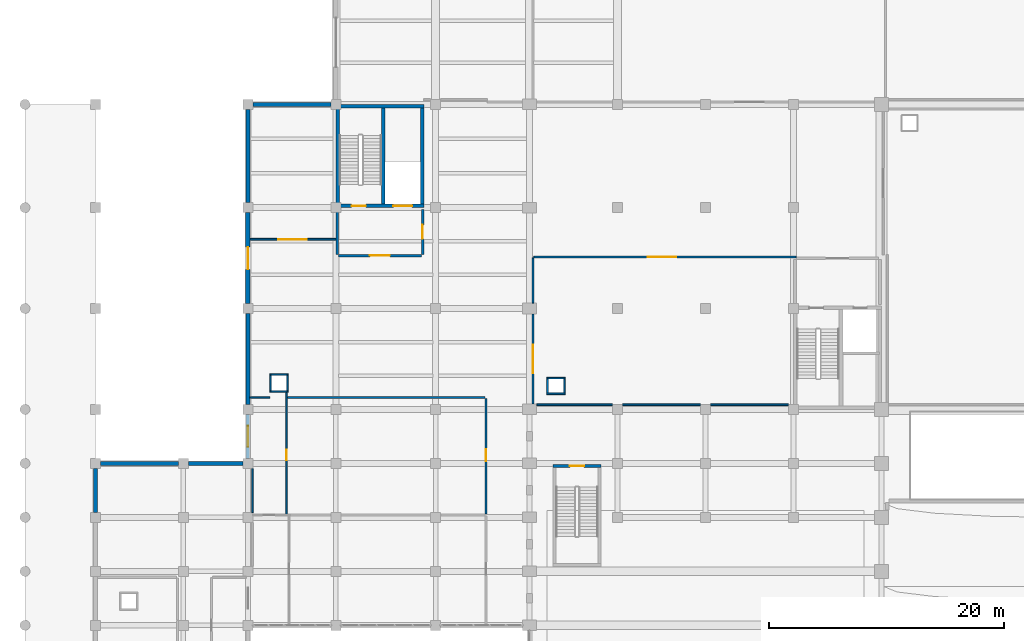
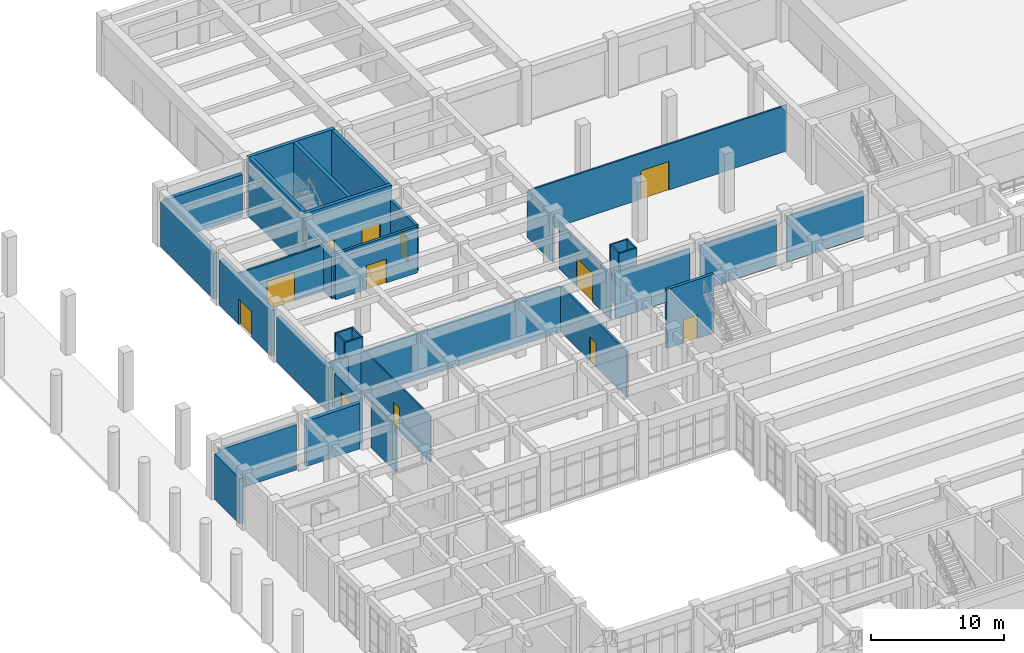
# One storey, part 65 of 84: 37 walls, 11 doors, 1 window, 12 openings.
"""IFC4 building model written with IfcOpenShell, lengths in metres."""

from ifc_helpers import new_model, si_unit, direction, frame, frame_2d, origin, place, context, subcontext, project, spatial, rectangle, extrude, material, layer, layer_set, type_object, element, fill, save


model = new_model("IFC4")

# Units and contexts
model_context = context("Model", 3, precision=1e-05, world=origin(), true_north=direction((0.0, 1.0)))
body_context = subcontext(model_context, "Body", "Model", "MODEL_VIEW")
ifc_project = project(units=[si_unit("LENGTHUNIT", "METRE"), si_unit("AREAUNIT", "SQUARE_METRE"), si_unit("VOLUMEUNIT", "CUBIC_METRE"), si_unit("PLANEANGLEUNIT", "RADIAN"), si_unit("MASSUNIT", "GRAM", prefix="KILO")], contexts=[model_context])

# Site, building, storey
site_placement = place(None, origin())
site = spatial("IfcSite", under=ifc_project, at=site_placement, CompositionType="ELEMENT")
building_placement = place(site_placement, origin())
building = spatial("IfcBuilding", under=site, at=building_placement, Name="Muzn Square Opera House", CompositionType="ELEMENT")
storey_placement = place(building_placement, origin())
storey = spatial("IfcBuildingStorey", under=building, at=storey_placement, Name="L00", CompositionType="ELEMENT", Elevation=0.0)

# Wall, opening, door
ifc_material_1 = material(Name="Concrete C45/55", Category="concrete")
ifc_layer_1 = layer(ifc_material_1, 0.25, Name="Concrete C45/55", Category="concrete")
ifc_layer_set_1 = layer_set([ifc_layer_1], Name="Concrete C45/55")
wall_type_1 = type_object("IfcWallType", Name="Aux Stair Enclosure Wall 250mm", PredefinedType="SHEAR", material=ifc_layer_set_1)
wall_1_placement = place(storey_placement, frame((45.0, 67.77490234375, 0.0), z_axis=(0.0, 0.0, 1.0), x_axis=(1.0, 0.0, 0.0)))
wall_1 = element("IfcWall", 1, at=wall_1_placement, inside=storey, type_object=wall_type_1, Name="Escape Stair ST-9 Wall N L00", PredefinedType="SHEAR", context=body_context, shape_type="SweptSolid", body=[
    extrude(rectangle(XDim=4.10009765625, YDim=0.25, at=frame_2d((2.050048828125, 0.0))), origin(), (0.0, 0.0, 1.0), 5.39990234375),
])
opening_1_placement = place(wall_1_placement, frame((1.449951171875, 0.0, 0.0)))
opening_1 = element("IfcOpeningElement", 2, at=opening_1_placement, cuts=wall_1, Name="Opening DR-ST12", PredefinedType="OPENING", context=body_context, shape_type="SweptSolid", body=[
    extrude(rectangle(XDim=1.199951171875, YDim=2.14990234375, at=frame_2d((0.60009765625, 1.074951171875))), frame((0.0, 0.135009765625, 0.0), z_axis=(0.0, -1.0, 0.0), x_axis=(1.0, 0.0, 0.0)), (0.0, 0.0, 1.0), 0.27001953125),
])
ifc_material_2 = material(Name="Galvanised painted steel leaf", Category="metal")
door_type_1 = type_object("IfcDoorType", Name="Core Stair Fire Door 1200x2150", OperationType="NOTDEFINED", PredefinedType="DOOR", material=ifc_material_2)
door_1_placement = place(opening_1_placement, origin())
door_1 = element("IfcDoor", 3, at=door_1_placement, inside=storey, type_object=door_type_1, Name="Escape Stair ST-9 Door L00", OperationType="SINGLE_SWING_RIGHT", OverallHeight=2.14990234375, OverallWidth=1.199951171875, PredefinedType="DOOR", context=body_context, shape_type="SweptSolid", body=[
    extrude(rectangle(XDim=1.199951171875, YDim=2.14990234375, at=frame_2d((0.60009765625, 1.074951171875))), frame((0.0, 0.02490234375, 0.0), z_axis=(0.0, -1.0, 0.0), x_axis=(1.0, 0.0, 0.0)), (0.0, 0.0, 1.0), 0.050048828125),
])
fill(opening_1, door_1)

# Walls
ifc_layer_2 = layer(ifc_material_1, 0.300048828125, Name="Concrete C45/55", Category="concrete")
ifc_layer_set_2 = layer_set([ifc_layer_2], Name="Concrete C45/55")
wall_type_2 = type_object("IfcWallType", Name="Core Shear Wall 300mm", PredefinedType="SHEAR", material=ifc_layer_set_2)
wall_2_placement = place(storey_placement, frame((26.5, 98.449951171875, 0.0), z_axis=(0.0, 0.0, 1.0), x_axis=(1.0, 0.0, 0.0)))
element("IfcWall", 4, at=wall_2_placement, inside=storey, type_object=wall_type_2, Name="Core C6 Shear Wall SW-C6-L00-N", PredefinedType="SHEAR", context=body_context, shape_type="SweptSolid", body=[
    extrude(rectangle(XDim=7.5, YDim=0.300048828125, at=frame_2d((3.75, 0.0))), origin(), (0.0, 0.0, 1.0), 5.39990234375),
])
for number, where, z_axis, x_axis, name in (
    (5, (26.64990234375, 90.10009765625, 0.0), (0.0, 0.0, 1.0), (0.0, 1.0, 0.0), "Core C6 Shear Wall SW-C6-L00-W"),
    (6, (33.85009765625, 90.10009765625, 0.0), (0.0, 0.0, 1.0), (0.0, 1.0, 0.0), "Core C6 Shear Wall SW-C6-L00-E"),
    (7, (30.550048828125, 90.10009765625, 0.0), (0.0, 0.0, 1.0), (0.0, 1.0, 0.0), "Core C6 Shear Wall SW-C6-L00-DIV"),
):
    element("IfcWall", number, at=place(storey_placement, frame(where, z_axis=z_axis, x_axis=x_axis)), inside=storey, type_object=wall_type_2, Name=name, PredefinedType="SHEAR", context=body_context, shape_type="SweptSolid", body=[
        extrude(rectangle(XDim=8.199951171875, YDim=0.300048828125, at=frame_2d((4.10009765625, 0.0))), origin(), (0.0, 0.0, 1.0), 5.39990234375),
    ])

# Wall, openings, doors
wall_3_placement = place(storey_placement, frame((26.5, 89.949951171875, 0.0), z_axis=(0.0, 0.0, 1.0), x_axis=(1.0, 0.0, 0.0)))
wall_3 = element("IfcWall", 8, at=wall_3_placement, inside=storey, type_object=wall_type_2, Name="Core C6 Front Shear Wall L00", PredefinedType="SHEAR", context=body_context, shape_type="SweptSolid", body=[
    extrude(rectangle(XDim=7.5, YDim=0.300048828125, at=frame_2d((3.75, 0.0))), origin(), (0.0, 0.0, 1.0), 5.39990234375),
])
opening_2_placement = place(wall_3_placement, frame((2.550048828125, 0.0, 0.0), z_axis=(0.0, 0.0, 1.0), x_axis=(-1.0, 0.0, 0.0)))
opening_2 = element("IfcOpeningElement", 9, at=opening_2_placement, cuts=wall_3, Name="Opening DR-ST12", PredefinedType="OPENING", context=body_context, shape_type="SweptSolid", body=[
    extrude(rectangle(XDim=1.199951171875, YDim=2.14990234375, at=frame_2d((0.60009765625, 1.074951171875))), frame((0.0, 0.159912109375, 0.0), z_axis=(0.0, -1.0, 0.0), x_axis=(1.0, 0.0, 0.0)), (0.0, 0.0, 1.0), 0.320068359375),
])
opening_3_placement = place(wall_3_placement, frame((4.89990234375, 0.0, 0.0)))
opening_3 = element("IfcOpeningElement", 10, at=opening_3_placement, cuts=wall_3, Name="Opening LD-02", PredefinedType="OPENING", context=body_context, shape_type="SweptSolid", body=[
    extrude(rectangle(XDim=1.60009765625, YDim=2.25, at=frame_2d((0.800048828125, 1.125))), frame((0.0, 0.159912109375, 0.0), z_axis=(0.0, -1.0, 0.0), x_axis=(1.0, 0.0, 0.0)), (0.0, 0.0, 1.0), 0.320068359375),
])
door_2_placement = place(opening_2_placement, origin())
door_2 = element("IfcDoor", 11, at=door_2_placement, inside=storey, type_object=door_type_1, Name="Core C6 Stair Door L00", OperationType="SINGLE_SWING_RIGHT", OverallHeight=2.14990234375, OverallWidth=1.199951171875, PredefinedType="DOOR", context=body_context, shape_type="SweptSolid", body=[
    extrude(rectangle(XDim=1.199951171875, YDim=2.14990234375, at=frame_2d((0.60009765625, 1.074951171875))), frame((0.0, 0.02490234375, 0.0), z_axis=(0.0, -1.0, 0.0), x_axis=(1.0, 0.0, 0.0)), (0.0, 0.0, 1.0), 0.050048828125),
])
fill(opening_2, door_2)
ifc_material_3 = material(Name="Brushed stainless steel", Category="metal")
door_type_2 = type_object("IfcDoorType", Name="Goods Lift Sliding Door 1600x2250", OperationType="SLIDING_TO_LEFT", PredefinedType="DOOR", material=ifc_material_3)
door_3_placement = place(opening_3_placement, origin())
door_3 = element("IfcDoor", 12, at=door_3_placement, inside=storey, type_object=door_type_2, Name="Lift GL-1 Sliding Landing Door L00", OperationType="SLIDING_TO_LEFT", OverallHeight=2.25, OverallWidth=1.60009765625, PredefinedType="DOOR", context=body_context, shape_type="SweptSolid", body=[
    extrude(rectangle(XDim=1.60009765625, YDim=2.25, at=frame_2d((0.800048828125, 1.125))), frame((0.0, 0.02490234375, 0.0), z_axis=(0.0, -1.0, 0.0), x_axis=(1.0, 0.0, 0.0)), (0.0, 0.0, 1.0), 0.050048828125),
])
fill(opening_3, door_3)

# Wall, opening, door
ifc_material_4 = material(Name="Acoustic gypsum stud partition", Category="gypsum")
ifc_layer_3 = layer(ifc_material_4, 0.179931640625, Name="Acoustic gypsum stud partition", Category="gypsum")
ifc_layer_set_3 = layer_set([ifc_layer_3], Name="Acoustic gypsum stud partition")
wall_type_3 = type_object("IfcWallType", Name="Dressing Suite Partition 180mm", PredefinedType="PARTITIONING", material=ifc_layer_set_3)
wall_4_placement = place(storey_placement, frame((39.300048828125, 63.695068359375, 0.0), z_axis=(0.0, 0.0, 1.0), x_axis=(0.0, 1.0, 0.0)))
wall_4 = element("IfcWall", 13, at=wall_4_placement, inside=storey, type_object=wall_type_3, Name="Interior Partition PW-L00-0089", PredefinedType="PARTITIONING", context=body_context, shape_type="SweptSolid", body=[
    extrude(rectangle(XDim=9.829833984375, YDim=0.179931640625, at=frame_2d((4.9150390625, 0.0))), origin(), (0.0, 0.0, 1.0), 4.199951171875),
])
opening_4_placement = place(wall_4_placement, frame((4.5048828125, 0.0, 0.0)))
opening_4 = element("IfcOpeningElement", 14, at=opening_4_placement, cuts=wall_4, Name="Opening DR-SS10", PredefinedType="OPENING", context=body_context, shape_type="SweptSolid", body=[
    extrude(rectangle(XDim=1.0, YDim=2.199951171875, at=frame_2d((0.5, 1.10009765625))), frame((0.0, 0.099853515625, 0.0), z_axis=(0.0, -1.0, 0.0), x_axis=(1.0, 0.0, 0.0)), (0.0, 0.0, 1.0), 0.199951171875),
])
ifc_material_5 = material(Name="Acoustic hardwood leaf", Category="wood")
door_type_3 = type_object("IfcDoorType", Name="Soloist Suite Door 1000x2200", OperationType="NOTDEFINED", PredefinedType="DOOR", material=ifc_material_5)
door_4_placement = place(opening_4_placement, origin())
door_4 = element("IfcDoor", 15, at=door_4_placement, inside=storey, type_object=door_type_3, Name="Principal Soloist Dressing Suite 2 Door DR-L00-0039", OperationType="SINGLE_SWING_RIGHT", OverallHeight=2.199951171875, OverallWidth=1.0, PredefinedType="DOOR", context=body_context, shape_type="SweptSolid", body=[
    extrude(rectangle(XDim=1.0, YDim=2.199951171875, at=frame_2d((0.5, 1.10009765625))), frame((0.0, 0.02490234375, 0.0), z_axis=(0.0, -1.0, 0.0), x_axis=(1.0, 0.0, 0.0)), (0.0, 0.0, 1.0), 0.050048828125),
])
fill(opening_4, door_4)

# Wall
wall_5_placement = place(storey_placement, frame((22.364990234375, 73.60009765625, 0.0), z_axis=(0.0, 0.0, 1.0), x_axis=(1.0, 0.0, 0.0)))
element("IfcWall", 16, at=wall_5_placement, inside=storey, type_object=wall_type_3, Name="Room Enclosure Partition PW-L00-0133", PredefinedType="PARTITIONING", context=body_context, shape_type="SweptSolid", body=[
    extrude(rectangle(XDim=16.8349609375, YDim=0.179931640625, at=frame_2d((8.41748046875, 0.0))), origin(), (0.0, 0.0, 1.0), 4.199951171875),
])

# Wall, opening, door
ifc_layer_4 = layer(ifc_material_4, 0.1201171875, Name="Acoustic gypsum stud partition", Category="gypsum")
ifc_layer_set_4 = layer_set([ifc_layer_4], Name="Acoustic gypsum stud partition")
wall_type_4 = type_object("IfcWallType", Name="En-Suite Partition 120mm", PredefinedType="PARTITIONING", material=ifc_layer_set_4)
wall_6_placement = place(storey_placement, frame((22.300048828125, 63.6650390625, 0.0), z_axis=(0.0, 0.0, 1.0), x_axis=(0.0, 1.0, 0.0)))
wall_6 = element("IfcWall", 17, at=wall_6_placement, inside=storey, type_object=wall_type_4, Name="Interior Partition PW-L00-0088", PredefinedType="PARTITIONING", context=body_context, shape_type="SweptSolid", body=[
    extrude(rectangle(XDim=10.39990234375, YDim=0.1201171875, at=frame_2d((5.199951171875, 0.0))), origin(), (0.0, 0.0, 1.0), 4.199951171875),
])
opening_5_placement = place(wall_6_placement, frame((4.5849609375, 0.0, 0.0)))
opening_5 = element("IfcOpeningElement", 18, at=opening_5_placement, cuts=wall_6, Name="Opening DR-EN90", PredefinedType="OPENING", context=body_context, shape_type="SweptSolid", body=[
    extrude(rectangle(XDim=0.89990234375, YDim=2.14990234375, at=frame_2d((0.449951171875, 1.074951171875))), frame((0.0, 0.070068359375, 0.0), z_axis=(0.0, -1.0, 0.0), x_axis=(1.0, 0.0, 0.0)), (0.0, 0.0, 1.0), 0.14013671875),
])
door_type_4 = type_object("IfcDoorType", Name="En-Suite Bathroom Door 900x2150", OperationType="NOTDEFINED", PredefinedType="DOOR", material=ifc_material_5)
door_5_placement = place(opening_5_placement, origin())
door_5 = element("IfcDoor", 19, at=door_5_placement, inside=storey, type_object=door_type_4, Name="Soloist En-Suite Bathroom 2 Door DR-L00-0038", OperationType="SINGLE_SWING_LEFT", OverallHeight=2.14990234375, OverallWidth=0.89990234375, PredefinedType="DOOR", context=body_context, shape_type="SweptSolid", body=[
    extrude(rectangle(XDim=0.89990234375, YDim=2.14990234375, at=frame_2d((0.449951171875, 1.074951171875))), frame((0.0, 0.02490234375, 0.0), z_axis=(0.0, -1.0, 0.0), x_axis=(1.0, 0.0, 0.0)), (0.0, 0.0, 1.0), 0.050048828125),
])
fill(opening_5, door_5)

# Walls
wall_7_placement = place(storey_placement, frame((19.175048828125, 73.60009765625, 0.0), z_axis=(0.0, 0.0, 1.0), x_axis=(1.0, 0.0, 0.0)))
element("IfcWall", 20, at=wall_7_placement, inside=storey, type_object=wall_type_4, Name="Room Enclosure Partition PW-L00-0131", PredefinedType="PARTITIONING", context=body_context, shape_type="SweptSolid", body=[
    extrude(rectangle(XDim=1.695068359375, YDim=0.1201171875, at=frame_2d((0.84765625, 0.0))), origin(), (0.0, 0.0, 1.0), 4.199951171875),
])
wall_8_placement = place(storey_placement, frame((19.39990234375, 63.800048828125, 0.0), z_axis=(0.0, 0.0, 1.0), x_axis=(0.0, 1.0, 0.0)))
element("IfcWall", 21, at=wall_8_placement, inside=storey, type_object=wall_type_4, Name="Room Enclosure Partition PW-L00-0132", PredefinedType="PARTITIONING", context=body_context, shape_type="SweptSolid", body=[
    extrude(rectangle(XDim=3.7548828125, YDim=0.1201171875, at=frame_2d((1.87744140625, 0.0))), origin(), (0.0, 0.0, 1.0), 4.199951171875),
])

# Wall, opening, window
ifc_material_6 = material(Name="Concrete C40/50", Category="concrete")
ifc_layer_5 = layer(ifc_material_6, 0.31005859375, Name="Concrete C40/50", Category="concrete")
ifc_layer_set_5 = layer_set([ifc_layer_5], Name="Concrete C40/50")
wall_type_5 = type_object("IfcWallType", Name="Exterior Gallery Facade Wall 310mm", PredefinedType="SOLIDWALL", material=ifc_layer_set_5)
wall_9_placement = place(storey_placement, frame((19.0, 68.425048828125, 0.0), z_axis=(0.0, 0.0, 1.0), x_axis=(0.0, 1.0, 0.0)))
wall_9 = element("IfcWall", 22, at=wall_9_placement, inside=storey, type_object=wall_type_5, Name="Exterior Facade Wall EW-L00-078", PredefinedType="SOLIDWALL", context=body_context, shape_type="SweptSolid", body=[
    extrude(rectangle(XDim=3.75, YDim=0.31005859375, at=frame_2d((1.875, 0.0))), origin(), (0.0, 0.0, 1.0), 4.14990234375),
])
opening_6_placement = place(wall_9_placement, frame((0.97509765625, 0.0, 0.85009765625)))
opening_6 = element("IfcOpeningElement", 23, at=opening_6_placement, cuts=wall_9, Name="Opening WN-A1822", PredefinedType="OPENING", context=body_context, shape_type="SweptSolid", body=[
    extrude(rectangle(XDim=1.800048828125, YDim=2.199951171875, at=frame_2d((0.89990234375, 1.10009765625))), frame((0.0, 0.1650390625, 0.0), z_axis=(0.0, -1.0, 0.0), x_axis=(1.0, 0.0, 0.0)), (0.0, 0.0, 1.0), 0.330078125),
])
ifc_material_7 = material(Name="Low-E laminated acoustic double glazing", Category="glass")
window_type = type_object("IfcWindowType", Name="Soloist Suite Window 1800x2200", PartitioningType="DOUBLE_PANEL_VERTICAL", PredefinedType="WINDOW", material=ifc_material_7)
window_placement = place(opening_6_placement, origin())
window = element("IfcWindow", 24, at=window_placement, inside=storey, type_object=window_type, Name="Soloist Suite Window 1800x2200 EW-L00-078-WN01", OverallHeight=2.199951171875, OverallWidth=1.800048828125, PartitioningType="SINGLE_PANEL", PredefinedType="WINDOW", context=body_context, shape_type="SweptSolid", body=[
    extrude(rectangle(XDim=1.800048828125, YDim=2.199951171875, at=frame_2d((0.89990234375, 1.10009765625))), frame((0.0, 0.030029296875, 0.0), z_axis=(0.0, -1.0, 0.0), x_axis=(1.0, 0.0, 0.0)), (0.0, 0.0, 1.0), 0.06005859375),
])
fill(opening_6, window)

# Walls
ifc_layer_6 = layer(ifc_material_6, 0.340087890625, Name="Concrete C40/50", Category="concrete")
ifc_layer_set_6 = layer_set([ifc_layer_6], Name="Concrete C40/50")
wall_type_6 = type_object("IfcWallType", Name="Exterior Insulated Spandrel Wall 340mm", PredefinedType="SOLIDWALL", material=ifc_layer_set_6)
wall_10_placement = place(storey_placement, frame((6.0, 63.824951171875, 0.0), z_axis=(0.0, 0.0, 1.0), x_axis=(0.0, 1.0, 0.0)))
element("IfcWall", 25, at=wall_10_placement, inside=storey, type_object=wall_type_6, Name="Exterior Facade Wall EW-L00-110", PredefinedType="SOLIDWALL", context=body_context, shape_type="SweptSolid", body=[
    extrude(rectangle(XDim=3.75, YDim=0.340087890625, at=frame_2d((1.875, 0.0))), origin(), (0.0, 0.0, 1.0), 4.14990234375),
])
wall_11_placement = place(storey_placement, frame((6.425048828125, 68.0, 0.0), z_axis=(0.0, 0.0, 1.0), x_axis=(1.0, 0.0, 0.0)))
element("IfcWall", 26, at=wall_11_placement, inside=storey, type_object=wall_type_6, Name="Exterior Facade Wall EW-L00-111", PredefinedType="SOLIDWALL", context=body_context, shape_type="SweptSolid", body=[
    extrude(rectangle(XDim=6.64990234375, YDim=0.340087890625, at=frame_2d((3.324951171875, 0.0))), origin(), (0.0, 0.0, 1.0), 4.14990234375),
])
wall_12_placement = place(storey_placement, frame((13.925048828125, 68.0, 0.0), z_axis=(0.0, 0.0, 1.0), x_axis=(1.0, 0.0, 0.0)))
element("IfcWall", 27, at=wall_12_placement, inside=storey, type_object=wall_type_6, Name="Exterior Facade Wall EW-L00-112", PredefinedType="SOLIDWALL", context=body_context, shape_type="SweptSolid", body=[
    extrude(rectangle(XDim=4.64990234375, YDim=0.340087890625, at=frame_2d((2.324951171875, 0.0))), origin(), (0.0, 0.0, 1.0), 4.14990234375),
])
wall_13_placement = place(storey_placement, frame((19.0, 73.02490234375, 0.0), z_axis=(0.0, 0.0, 1.0), x_axis=(0.0, 1.0, 0.0)))
element("IfcWall", 28, at=wall_13_placement, inside=storey, type_object=wall_type_6, Name="Exterior Facade Wall EW-L00-113", PredefinedType="SOLIDWALL", context=body_context, shape_type="SweptSolid", body=[
    extrude(rectangle(XDim=7.75, YDim=0.340087890625, at=frame_2d((3.875, 0.0))), origin(), (0.0, 0.0, 1.0), 4.14990234375),
])
wall_14_placement = place(storey_placement, frame((19.0, 90.22509765625, 0.0), z_axis=(0.0, 0.0, 1.0), x_axis=(0.0, 1.0, 0.0)))
element("IfcWall", 29, at=wall_14_placement, inside=storey, type_object=wall_type_6, Name="Exterior Facade Wall EW-L00-114", PredefinedType="SOLIDWALL", context=body_context, shape_type="SweptSolid", body=[
    extrude(rectangle(XDim=7.949951171875, YDim=0.340087890625, at=frame_2d((3.97509765625, 0.0))), origin(), (0.0, 0.0, 1.0), 4.14990234375),
])
wall_15_placement = place(storey_placement, frame((19.425048828125, 98.60009765625, 0.0), z_axis=(0.0, 0.0, 1.0), x_axis=(1.0, 0.0, 0.0)))
element("IfcWall", 30, at=wall_15_placement, inside=storey, type_object=wall_type_6, Name="Exterior Facade Wall EW-L00-115", PredefinedType="SOLIDWALL", context=body_context, shape_type="SweptSolid", body=[
    extrude(rectangle(XDim=6.64990234375, YDim=0.340087890625, at=frame_2d((3.324951171875, 0.0))), origin(), (0.0, 0.0, 1.0), 3.89990234375),
])

# Wall, opening, door
ifc_layer_7 = layer(ifc_material_6, 0.3798828125, Name="Concrete C40/50", Category="concrete")
ifc_layer_set_7 = layer_set([ifc_layer_7], Name="Concrete C40/50")
wall_type_7 = type_object("IfcWallType", Name="Exterior Limestone Wall 380mm", PredefinedType="SOLIDWALL", material=ifc_layer_set_7)
wall_16_placement = place(storey_placement, frame((19.0, 81.625, 0.0), z_axis=(0.0, 0.0, 1.0), x_axis=(0.0, 1.0, 0.0)))
wall_16 = element("IfcWall", 31, at=wall_16_placement, inside=storey, type_object=wall_type_7, Name="Exterior Facade Wall EW-L00-076", PredefinedType="SOLIDWALL", context=body_context, shape_type="SweptSolid", body=[
    extrude(rectangle(XDim=7.75, YDim=0.3798828125, at=frame_2d((3.875, 0.0))), origin(), (0.0, 0.0, 1.0), 4.14990234375),
])
opening_7_placement = place(wall_16_placement, frame((2.905029296875, 0.0, 0.0)))
opening_7 = element("IfcOpeningElement", 32, at=opening_7_placement, cuts=wall_16, Name="Opening DR-EX19", PredefinedType="OPENING", context=body_context, shape_type="SweptSolid", body=[
    extrude(rectangle(XDim=1.89990234375, YDim=2.35009765625, at=frame_2d((0.949951171875, 1.175048828125))), frame((0.0, 0.199951171875, 0.0), z_axis=(0.0, -1.0, 0.0), x_axis=(1.0, 0.0, 0.0)), (0.0, 0.0, 1.0), 0.39990234375),
])
ifc_material_8 = material(Name="Anodised bronze aluminium", Category="metal")
door_type_5 = type_object("IfcDoorType", Name="Pedestrian Final Exit Door 1900x2350", OperationType="DOUBLE_DOOR_SINGLE_SWING", PredefinedType="DOOR", material=ifc_material_8)
door_6_placement = place(opening_7_placement, origin())
door_6 = element("IfcDoor", 33, at=door_6_placement, inside=storey, type_object=door_type_5, Name="Stage Door Pedestrian Final Exit E-WB02", OperationType="DOUBLE_DOOR_SINGLE_SWING", OverallHeight=2.35009765625, OverallWidth=1.89990234375, PredefinedType="DOOR", context=body_context, shape_type="SweptSolid", body=[
    extrude(rectangle(XDim=1.89990234375, YDim=2.35009765625, at=frame_2d((0.949951171875, 1.175048828125))), frame((0.0, 0.02490234375, 0.0), z_axis=(0.0, -1.0, 0.0), x_axis=(1.0, 0.0, 0.0)), (0.0, 0.0, 1.0), 0.050048828125),
])
fill(opening_7, door_6)

ifc_layer_8 = layer(ifc_material_6, 0.219970703125, Name="Concrete C40/50", Category="concrete")
ifc_layer_set_8 = layer_set([ifc_layer_8], Name="Concrete C40/50")
wall_type_8 = type_object("IfcWallType", Name="Lift Lobby Wall 220mm", PredefinedType="SOLIDWALL", material=ifc_layer_set_8)
wall_17_placement = place(storey_placement, frame((26.719970703125, 85.7099609375, 0.0), z_axis=(0.0, 0.0, 1.0), x_axis=(1.0, 0.0, 0.0)))
wall_17 = element("IfcWall", 34, at=wall_17_placement, inside=storey, type_object=wall_type_8, Name="Lobby C6 Enclosure Wall L00", PredefinedType="SOLIDWALL", context=body_context, shape_type="SweptSolid", body=[
    extrude(rectangle(XDim=7.06005859375, YDim=0.219970703125, at=frame_2d((3.530029296875, 0.0))), origin(), (0.0, 0.0, 1.0), 4.199951171875),
])
opening_8_placement = place(wall_17_placement, frame((4.3798828125, 0.0, 0.0), z_axis=(0.0, 0.0, 1.0), x_axis=(-1.0, 0.0, 0.0)))
opening_8 = element("IfcOpeningElement", 35, at=opening_8_placement, cuts=wall_17, Name="Opening DR-LL17", PredefinedType="OPENING", context=body_context, shape_type="SweptSolid", body=[
    extrude(rectangle(XDim=1.699951171875, YDim=2.179931640625, at=frame_2d((0.85009765625, 1.08984375))), frame((0.0, 0.119873046875, 0.0), z_axis=(0.0, -1.0, 0.0), x_axis=(1.0, 0.0, 0.0)), (0.0, 0.0, 1.0), 0.239990234375),
])
door_type_6 = type_object("IfcDoorType", Name="Lift Lobby Double Door 1700x2180", OperationType="DOUBLE_DOOR_SINGLE_SWING", PredefinedType="DOOR", material=ifc_material_5)
door_7_placement = place(opening_8_placement, origin())
door_7 = element("IfcDoor", 36, at=door_7_placement, inside=storey, type_object=door_type_6, Name="Lobby C6 Fire Door L00", OperationType="DOUBLE_DOOR_SINGLE_SWING", OverallHeight=2.179931640625, OverallWidth=1.699951171875, PredefinedType="DOOR", context=body_context, shape_type="SweptSolid", body=[
    extrude(rectangle(XDim=1.699951171875, YDim=2.179931640625, at=frame_2d((0.85009765625, 1.08984375))), frame((0.0, 0.02490234375, 0.0), z_axis=(0.0, -1.0, 0.0), x_axis=(1.0, 0.0, 0.0)), (0.0, 0.0, 1.0), 0.050048828125),
])
fill(opening_8, door_7)

# Wall
wall_18_placement = place(storey_placement, frame((26.610107421875, 85.820068359375, 0.0), z_axis=(0.0, 0.0, 1.0), x_axis=(0.0, 1.0, 0.0)))
element("IfcWall", 37, at=wall_18_placement, inside=storey, type_object=wall_type_8, Name="Lobby C6 Side Wall W L00", PredefinedType="SOLIDWALL", context=body_context, shape_type="SweptSolid", body=[
    extrude(rectangle(XDim=3.829833984375, YDim=0.219970703125, at=frame_2d((1.9150390625, 0.0))), origin(), (0.0, 0.0, 1.0), 4.199951171875),
])

# Wall, opening, door
wall_19_placement = place(storey_placement, frame((33.889892578125, 85.820068359375, 0.0), z_axis=(0.0, 0.0, 1.0), x_axis=(0.0, 1.0, 0.0)))
wall_19 = element("IfcWall", 38, at=wall_19_placement, inside=storey, type_object=wall_type_8, Name="Lobby C6 Side Wall E L00", PredefinedType="SOLIDWALL", context=body_context, shape_type="SweptSolid", body=[
    extrude(rectangle(XDim=3.829833984375, YDim=0.219970703125, at=frame_2d((1.9150390625, 0.0))), origin(), (0.0, 0.0, 1.0), 4.199951171875),
])
opening_9_placement = place(wall_19_placement, frame((2.514892578125, 0.0, 0.0), z_axis=(0.0, 0.0, 1.0), x_axis=(-1.0, 0.0, 0.0)))
opening_9 = element("IfcOpeningElement", 39, at=opening_9_placement, cuts=wall_19, Name="Opening DR-ST12", PredefinedType="OPENING", context=body_context, shape_type="SweptSolid", body=[
    extrude(rectangle(XDim=1.199951171875, YDim=2.14990234375, at=frame_2d((0.60009765625, 1.074951171875))), frame((0.0, 0.119873046875, 0.0), z_axis=(0.0, -1.0, 0.0), x_axis=(1.0, 0.0, 0.0)), (0.0, 0.0, 1.0), 0.239990234375),
])
door_8_placement = place(opening_9_placement, origin())
door_8 = element("IfcDoor", 40, at=door_8_placement, inside=storey, type_object=door_type_1, Name="Lobby C6 Side Door E L00", OperationType="SINGLE_SWING_LEFT", OverallHeight=2.14990234375, OverallWidth=1.199951171875, PredefinedType="DOOR", context=body_context, shape_type="SweptSolid", body=[
    extrude(rectangle(XDim=1.199951171875, YDim=2.14990234375, at=frame_2d((0.60009765625, 1.074951171875))), frame((0.0, 0.02490234375, 0.0), z_axis=(0.0, -1.0, 0.0), x_axis=(1.0, 0.0, 0.0)), (0.0, 0.0, 1.0), 0.050048828125),
])
fill(opening_9, door_8)

ifc_layer_9 = layer(ifc_material_4, 0.14990234375, Name="Acoustic gypsum stud partition", Category="gypsum")
ifc_layer_set_9 = layer_set([ifc_layer_9], Name="Acoustic gypsum stud partition")
wall_type_9 = type_object("IfcWallType", Name="Office Acoustic Partition 150mm", PredefinedType="PARTITIONING", material=ifc_layer_set_9)
wall_20_placement = place(storey_placement, frame((43.300048828125, 73.070068359375, 0.0), z_axis=(0.0, 0.0, 1.0), x_axis=(0.0, 1.0, 0.0)))
wall_20 = element("IfcWall", 41, at=wall_20_placement, inside=storey, type_object=wall_type_9, Name="Interior Partition PW-L00-0041", PredefinedType="PARTITIONING", context=body_context, shape_type="SweptSolid", body=[
    extrude(rectangle(XDim=7.659912109375, YDim=0.14990234375, at=frame_2d((3.830078125, 0.0))), origin(), (0.0, 0.0, 1.0), 4.199951171875),
])
opening_10_placement = place(wall_20_placement, frame((2.6298828125, 0.0, 0.0)))
opening_10 = element("IfcOpeningElement", 42, at=opening_10_placement, cuts=wall_20, Name="Opening DR-SC24", PredefinedType="OPENING", context=body_context, shape_type="SweptSolid", body=[
    extrude(rectangle(XDim=2.39990234375, YDim=2.60009765625, at=frame_2d((1.199951171875, 1.300048828125))), frame((0.0, 0.0849609375, 0.0), z_axis=(0.0, -1.0, 0.0), x_axis=(1.0, 0.0, 0.0)), (0.0, 0.0, 1.0), 0.169921875),
])
door_type_7 = type_object("IfcDoorType", Name="Stage Scenery Double Door 2400x2600", OperationType="DOUBLE_DOOR_SINGLE_SWING", PredefinedType="DOOR", material=ifc_material_2)
door_9_placement = place(opening_10_placement, origin())
door_9 = element("IfcDoor", 43, at=door_9_placement, inside=storey, type_object=door_type_7, Name="Port Side Stage Door DR-L00-0015", OperationType="DOUBLE_DOOR_SINGLE_SWING", OverallHeight=2.60009765625, OverallWidth=2.39990234375, PredefinedType="DOOR", context=body_context, shape_type="SweptSolid", body=[
    extrude(rectangle(XDim=2.39990234375, YDim=2.60009765625, at=frame_2d((1.199951171875, 1.300048828125))), frame((0.0, 0.02490234375, 0.0), z_axis=(0.0, -1.0, 0.0), x_axis=(1.0, 0.0, 0.0)), (0.0, 0.0, 1.0), 0.050048828125),
])
fill(opening_10, door_9)

# Wall
wall_21_placement = place(storey_placement, frame((43.300048828125, 81.669921875, 0.0), z_axis=(0.0, 0.0, 1.0), x_axis=(0.0, 1.0, 0.0)))
element("IfcWall", 44, at=wall_21_placement, inside=storey, type_object=wall_type_9, Name="Interior Partition PW-L00-0042", PredefinedType="PARTITIONING", context=body_context, shape_type="SweptSolid", body=[
    extrude(rectangle(XDim=3.85009765625, YDim=0.14990234375, at=frame_2d((1.925048828125, 0.0))), origin(), (0.0, 0.0, 1.0), 4.199951171875),
])

# Wall, opening, door
wall_22_placement = place(storey_placement, frame((43.3798828125, 85.60009765625, 0.0), z_axis=(0.0, 0.0, 1.0), x_axis=(1.0, 0.0, 0.0)))
wall_22 = element("IfcWall", 45, at=wall_22_placement, inside=storey, type_object=wall_type_9, Name="Interior Partition PW-L00-0043", PredefinedType="PARTITIONING", context=body_context, shape_type="SweptSolid", body=[
    extrude(rectangle(XDim=22.355224609375, YDim=0.14990234375, at=frame_2d((11.177734375, 0.0))), origin(), (0.0, 0.0, 1.0), 4.199951171875),
])
opening_11_placement = place(wall_22_placement, frame((9.719970703125, 0.0, 0.0)))
opening_11 = element("IfcOpeningElement", 46, at=opening_11_placement, cuts=wall_22, Name="Opening DR-SC24", PredefinedType="OPENING", context=body_context, shape_type="SweptSolid", body=[
    extrude(rectangle(XDim=2.39990234375, YDim=2.60009765625, at=frame_2d((1.199951171875, 1.300048828125))), frame((0.0, 0.0849609375, 0.0), z_axis=(0.0, -1.0, 0.0), x_axis=(1.0, 0.0, 0.0)), (0.0, 0.0, 1.0), 0.169921875),
])
door_10_placement = place(opening_11_placement, origin())
door_10 = element("IfcDoor", 47, at=door_10_placement, inside=storey, type_object=door_type_7, Name="Port Side Stage Door DR-L00-0016", OperationType="DOUBLE_DOOR_SINGLE_SWING", OverallHeight=2.60009765625, OverallWidth=2.39990234375, PredefinedType="DOOR", context=body_context, shape_type="SweptSolid", body=[
    extrude(rectangle(XDim=2.39990234375, YDim=2.60009765625, at=frame_2d((1.199951171875, 1.300048828125))), frame((0.0, 0.02490234375, 0.0), z_axis=(0.0, -1.0, 0.0), x_axis=(1.0, 0.0, 0.0)), (0.0, 0.0, 1.0), 0.050048828125),
])
fill(opening_11, door_10)

wall_23_placement = place(storey_placement, frame((19.195068359375, 87.10009765625, 0.0), z_axis=(0.0, 0.0, 1.0), x_axis=(1.0, 0.0, 0.0)))
wall_23 = element("IfcWall", 48, at=wall_23_placement, inside=storey, type_object=wall_type_9, Name="Interior Partition PW-L00-0081", PredefinedType="PARTITIONING", context=body_context, shape_type="SweptSolid", body=[
    extrude(rectangle(XDim=7.300048828125, YDim=0.14990234375, at=frame_2d((3.64990234375, 0.0))), origin(), (0.0, 0.0, 1.0), 4.199951171875),
])
opening_12_placement = place(wall_23_placement, frame((2.405029296875, 0.0, 0.0)))
opening_12 = element("IfcOpeningElement", 49, at=opening_12_placement, cuts=wall_23, Name="Opening DR-SC24", PredefinedType="OPENING", context=body_context, shape_type="SweptSolid", body=[
    extrude(rectangle(XDim=2.39990234375, YDim=2.60009765625, at=frame_2d((1.199951171875, 1.300048828125))), frame((0.0, 0.0849609375, 0.0), z_axis=(0.0, -1.0, 0.0), x_axis=(1.0, 0.0, 0.0)), (0.0, 0.0, 1.0), 0.169921875),
])
door_11_placement = place(opening_12_placement, origin())
door_11 = element("IfcDoor", 50, at=door_11_placement, inside=storey, type_object=door_type_7, Name="Stage Door Security Office Door DR-L00-0034", OperationType="DOUBLE_DOOR_SINGLE_SWING", OverallHeight=2.60009765625, OverallWidth=2.39990234375, PredefinedType="DOOR", context=body_context, shape_type="SweptSolid", body=[
    extrude(rectangle(XDim=2.39990234375, YDim=2.60009765625, at=frame_2d((1.199951171875, 1.300048828125))), frame((0.0, 0.02490234375, 0.0), z_axis=(0.0, -1.0, 0.0), x_axis=(1.0, 0.0, 0.0)), (0.0, 0.0, 1.0), 0.050048828125),
])
fill(opening_12, door_11)

# Walls
wall_24_placement = place(storey_placement, frame((43.6201171875, 73.0, 0.0), z_axis=(0.0, 0.0, 1.0), x_axis=(1.0, 0.0, 0.0)))
element("IfcWall", 51, at=wall_24_placement, inside=storey, type_object=wall_type_9, Name="Room Enclosure Partition PW-L00-0103", PredefinedType="PARTITIONING", context=body_context, shape_type="SweptSolid", body=[
    extrude(rectangle(XDim=6.434814453125, YDim=0.14990234375, at=frame_2d((3.21728515625, 0.0))), origin(), (0.0, 0.0, 1.0), 4.199951171875),
])
for number, where, z_axis, x_axis, name in (
    (52, (50.945068359375, 73.0, 0.0), (0.0, 0.0, 1.0), (1.0, 0.0, 0.0), "Room Enclosure Partition PW-L00-0104"),
    (53, (58.445068359375, 73.0, 0.0), (0.0, 0.0, 1.0), (1.0, 0.0, 0.0), "Room Enclosure Partition PW-L00-0105"),
):
    element("IfcWall", number, at=place(storey_placement, frame(where, z_axis=z_axis, x_axis=x_axis)), inside=storey, type_object=wall_type_9, Name=name, PredefinedType="PARTITIONING", context=body_context, shape_type="SweptSolid", body=[
        extrude(rectangle(XDim=6.60986328125, YDim=0.14990234375, at=frame_2d((3.304931640625, 0.0))), origin(), (0.0, 0.0, 1.0), 4.199951171875),
    ])
ifc_layer_10 = layer(ifc_material_4, 0.1298828125, Name="Acoustic gypsum stud partition", Category="gypsum")
ifc_layer_set_10 = layer_set([ifc_layer_10], Name="Acoustic gypsum stud partition")
wall_type_10 = type_object("IfcWallType", Name="Service Closet Partition 130mm", PredefinedType="PARTITIONING", material=ifc_layer_set_10)
for number, where, z_axis, x_axis, name in (
    (54, (44.469970703125, 73.93505859375, 0.0), (0.0, 0.0, 1.0), (1.0, 0.0, 0.0), "MEP Riser Shaft Wall RSR-SW L00-S"),
    (55, (44.469970703125, 75.264892578125, 0.0), (0.0, 0.0, 1.0), (1.0, 0.0, 0.0), "MEP Riser Shaft Wall RSR-SW L00-N"),
):
    element("IfcWall", number, at=place(storey_placement, frame(where, z_axis=z_axis, x_axis=x_axis)), inside=storey, type_object=wall_type_10, Name=name, PredefinedType="PARTITIONING", context=body_context, shape_type="SweptSolid", body=[
        extrude(rectangle(XDim=1.56005859375, YDim=0.1298828125, at=frame_2d((0.780029296875, 0.0))), origin(), (0.0, 0.0, 1.0), 5.10009765625),
    ])
for number, where, z_axis, x_axis, name in (
    (56, (44.534912109375, 74.0, 0.0), (0.0, 0.0, 1.0), (0.0, 1.0, 0.0), "MEP Riser Shaft Wall RSR-SW L00-W"),
    (57, (45.965087890625, 74.0, 0.0), (0.0, 0.0, 1.0), (0.0, 1.0, 0.0), "MEP Riser Shaft Wall RSR-SW L00-E"),
):
    element("IfcWall", number, at=place(storey_placement, frame(where, z_axis=z_axis, x_axis=x_axis)), inside=storey, type_object=wall_type_10, Name=name, PredefinedType="PARTITIONING", context=body_context, shape_type="SweptSolid", body=[
        extrude(rectangle(XDim=1.199951171875, YDim=0.1298828125, at=frame_2d((0.60009765625, 0.0))), origin(), (0.0, 0.0, 1.0), 5.10009765625),
    ])
for number, where, z_axis, x_axis, name in (
    (58, (20.8701171875, 74.135009765625, 0.0), (0.0, 0.0, 1.0), (1.0, 0.0, 0.0), "MEP Riser Shaft Wall RSR-WC L00-S"),
    (59, (20.8701171875, 75.56494140625, 0.0), (0.0, 0.0, 1.0), (1.0, 0.0, 0.0), "MEP Riser Shaft Wall RSR-WC L00-N"),
):
    element("IfcWall", number, at=place(storey_placement, frame(where, z_axis=z_axis, x_axis=x_axis)), inside=storey, type_object=wall_type_10, Name=name, PredefinedType="PARTITIONING", context=body_context, shape_type="SweptSolid", body=[
        extrude(rectangle(XDim=1.559814453125, YDim=0.1298828125, at=frame_2d((0.77978515625, 0.0))), origin(), (0.0, 0.0, 1.0), 5.10009765625),
    ])
for number, where, z_axis, x_axis, name in (
    (60, (20.93505859375, 74.199951171875, 0.0), (0.0, 0.0, 1.0), (0.0, 1.0, 0.0), "MEP Riser Shaft Wall RSR-WC L00-W"),
    (61, (22.364990234375, 74.199951171875, 0.0), (0.0, 0.0, 1.0), (0.0, 1.0, 0.0), "MEP Riser Shaft Wall RSR-WC L00-E"),
):
    element("IfcWall", number, at=place(storey_placement, frame(where, z_axis=z_axis, x_axis=x_axis)), inside=storey, type_object=wall_type_10, Name=name, PredefinedType="PARTITIONING", context=body_context, shape_type="SweptSolid", body=[
        extrude(rectangle(XDim=1.300048828125, YDim=0.1298828125, at=frame_2d((0.64990234375, 0.0))), origin(), (0.0, 0.0, 1.0), 5.10009765625),
    ])

save(model, "model.ifc")
